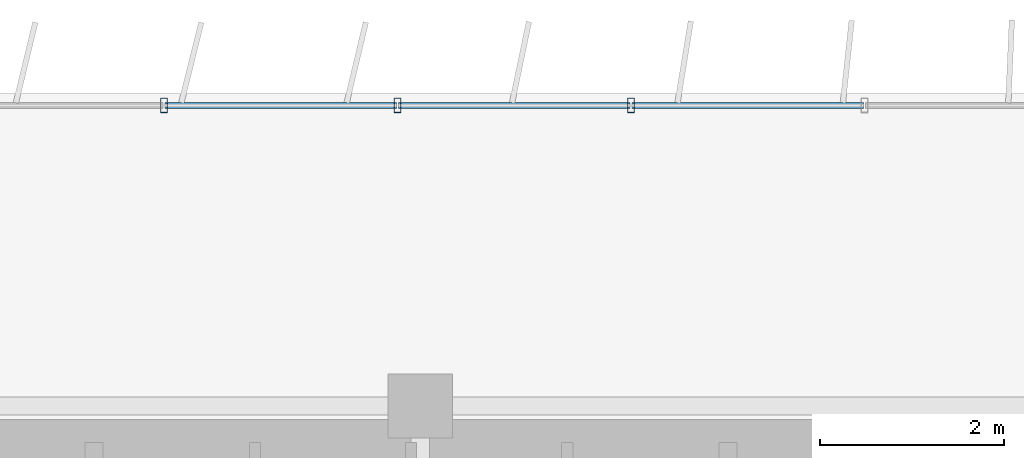
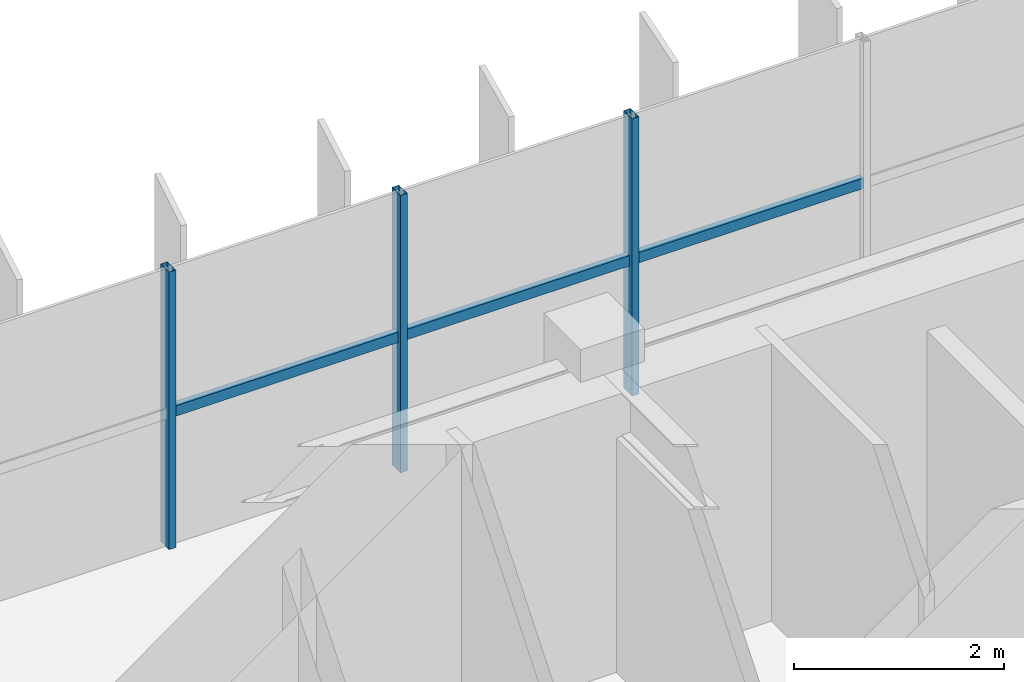
# One storey, part 24 of 37: 6 members, 1 element without a shape of its own.
"""IFC4 building model written with IfcOpenShell, lengths in metres."""

from ifc_helpers import new_model, si_unit, direction, frame, origin, origin_2d, place, context, subcontext, project, spatial, hollow_rectangle, extrude, source, transform, mapped, material, material_profile, profile_set, type_object, element, aggregate, save


model = new_model("IFC4")

# Units and contexts
model_context = context("Model", 3, precision=1e-05, world=origin(), true_north=direction((0.0, 1.0)))
body_context = subcontext(model_context, "Body", "Model", "MODEL_VIEW")
ifc_project = project(units=[si_unit("LENGTHUNIT", "METRE"), si_unit("AREAUNIT", "SQUARE_METRE"), si_unit("VOLUMEUNIT", "CUBIC_METRE"), si_unit("PLANEANGLEUNIT", "RADIAN"), si_unit("MASSUNIT", "GRAM", prefix="KILO")], contexts=[model_context])

# Site, building, storey
site_placement = place(None, origin())
site = spatial("IfcSite", under=ifc_project, at=site_placement, CompositionType="ELEMENT")
building_placement = place(site_placement, origin())
building = spatial("IfcBuilding", under=site, at=building_placement, Name="Trelvane Seafront Commons", CompositionType="ELEMENT")
storey_placement = place(building_placement, frame((0.0, 0.0, 201.300048828125)))
storey = spatial("IfcBuildingStorey", under=building, at=storey_placement, Name="L52", CompositionType="ELEMENT", Elevation=201.300048828125)

# Curtain wall, members
ifc_material = material(Name="Anodised pale-silver aluminium", Category="aluminium")
curtain_wall_type = type_object("IfcCurtainWallType", Name="ARCH-CW5-UPTOWER", PredefinedType="NOTDEFINED", material=ifc_material)
curtain_wall_placement = place(storey_placement, origin())
curtain_wall = element("IfcCurtainWall", 1, at=curtain_wall_placement, inside=storey, type_object=curtain_wall_type, Name="CW-L52-0090", PredefinedType="NOTDEFINED")
ifc_material_profile_1 = material_profile(ifc_material, hollow_rectangle(XDim=0.070068359375, YDim=0.1201171875, WallThickness=0.00390625, at=origin_2d()), Name="TRAN-70x120x4")
ifc_profile_set_1 = profile_set([ifc_material_profile_1], Name="Anodised pale-silver aluminium")
member_type_1 = type_object("IfcMemberType", Name="ARCH-CW-TRAN-120", PredefinedType="USERDEFINED", material=ifc_profile_set_1)
shared_shape_1 = source(origin(), body_context, "Body", "SweptSolid", [
    extrude(hollow_rectangle(XDim=0.070068359375, YDim=0.1201171875, WallThickness=0.00390625, at=origin_2d()), origin(), (0.0, 0.0, 1.0), 2.51708984375),
])
member_1_placement = place(storey_placement, frame((43.56494140625, 48.3701171875, 1.5458984375), z_axis=(1.0, 0.0, 0.0), x_axis=(0.0, 1.0, 0.0)))
member_1 = element("IfcMember", 2, at=member_1_placement, type_object=member_type_1, Name="CW-L52-0090-T11", ObjectType="TRANSOM", PredefinedType="USERDEFINED", context=body_context, shape_type="MappedRepresentation", body=[
    mapped(shared_shape_1, transform((0.0, 0.0, 0.0), x_axis=(1.0, 0.0, 0.0), y_axis=(0.0, 1.0, 0.0), z_axis=(0.0, 0.0, 1.0), scale=1.0)),
])
member_2_placement = place(storey_placement, frame((46.106201171875, 48.3701171875, 1.5458984375), z_axis=(1.0, 0.0, 0.0), x_axis=(0.0, 1.0, 0.0)))
member_2 = element("IfcMember", 3, at=member_2_placement, type_object=member_type_1, Name="CW-L52-0090-T12", ObjectType="TRANSOM", PredefinedType="USERDEFINED", context=body_context, shape_type="MappedRepresentation", body=[
    mapped(shared_shape_1, transform((0.0, 0.0, 0.0), x_axis=(1.0, 0.0, 0.0), y_axis=(0.0, 1.0, 0.0), z_axis=(0.0, 0.0, 1.0), scale=1.0)),
])
shared_shape_2 = source(origin(), body_context, "Body", "SweptSolid", [
    extrude(hollow_rectangle(XDim=0.070068359375, YDim=0.1201171875, WallThickness=0.00390625, at=origin_2d()), origin(), (0.0, 0.0, 1.0), 2.517333984375),
])
member_3_placement = place(storey_placement, frame((41.023681640625, 48.3701171875, 1.5458984375), z_axis=(1.0, 0.0, 0.0), x_axis=(0.0, 1.0, 0.0)))
member_3 = element("IfcMember", 4, at=member_3_placement, type_object=member_type_1, Name="CW-L52-0090-T10", ObjectType="TRANSOM", PredefinedType="USERDEFINED", context=body_context, shape_type="MappedRepresentation", body=[
    mapped(shared_shape_2, transform((0.0, 0.0, 0.0), x_axis=(1.0, 0.0, 0.0), y_axis=(0.0, 1.0, 0.0), z_axis=(0.0, 0.0, 1.0), scale=1.0)),
])
ifc_material_profile_2 = material_profile(ifc_material, hollow_rectangle(XDim=0.074951171875, YDim=0.159912109375, WallThickness=0.00390625, at=origin_2d()), Name="MULL-75x160x4")
ifc_profile_set_2 = profile_set([ifc_material_profile_2], Name="Anodised pale-silver aluminium")
member_type_2 = type_object("IfcMemberType", Name="ARCH-CW-MULL-160", PredefinedType="MULLION", material=ifc_profile_set_2)
shared_shape_3 = source(origin(), body_context, "Body", "SweptSolid", [
    extrude(hollow_rectangle(XDim=0.074951171875, YDim=0.159912109375, WallThickness=0.00390625, at=origin_2d()), origin(), (0.0, 0.0, 1.0), 3.219970703125),
])
member_4_placement = place(storey_placement, frame((41.01171875, 48.3701171875, 0.0), z_axis=(0.0, 0.0, 1.0), x_axis=(1.0, 0.0, 0.0)))
member_4 = element("IfcMember", 5, at=member_4_placement, type_object=member_type_2, Name="CW-L52-0090-M10", PredefinedType="MULLION", context=body_context, shape_type="MappedRepresentation", body=[
    mapped(shared_shape_3, transform((0.0, 0.0, 0.0), x_axis=(1.0, 0.0, 0.0), y_axis=(0.0, 1.0, 0.0), z_axis=(0.0, 0.0, 1.0), scale=1.0)),
])
member_5_placement = place(storey_placement, frame((43.552978515625, 48.3701171875, 0.0), z_axis=(0.0, 0.0, 1.0), x_axis=(1.0, 0.0, 0.0)))
member_5 = element("IfcMember", 6, at=member_5_placement, type_object=member_type_2, Name="CW-L52-0090-M11", PredefinedType="MULLION", context=body_context, shape_type="MappedRepresentation", body=[
    mapped(shared_shape_3, transform((0.0, 0.0, 0.0), x_axis=(1.0, 0.0, 0.0), y_axis=(0.0, 1.0, 0.0), z_axis=(0.0, 0.0, 1.0), scale=1.0)),
])
member_6_placement = place(storey_placement, frame((46.093994140625, 48.3701171875, 0.0), z_axis=(0.0, 0.0, 1.0), x_axis=(1.0, 0.0, 0.0)))
member_6 = element("IfcMember", 7, at=member_6_placement, type_object=member_type_2, Name="CW-L52-0090-M12", PredefinedType="MULLION", context=body_context, shape_type="MappedRepresentation", body=[
    mapped(shared_shape_3, transform((0.0, 0.0, 0.0), x_axis=(1.0, 0.0, 0.0), y_axis=(0.0, 1.0, 0.0), z_axis=(0.0, 0.0, 1.0), scale=1.0)),
])
aggregate(curtain_wall, [member_4, member_5, member_6, member_3, member_1, member_2])

save(model, "model.ifc")
